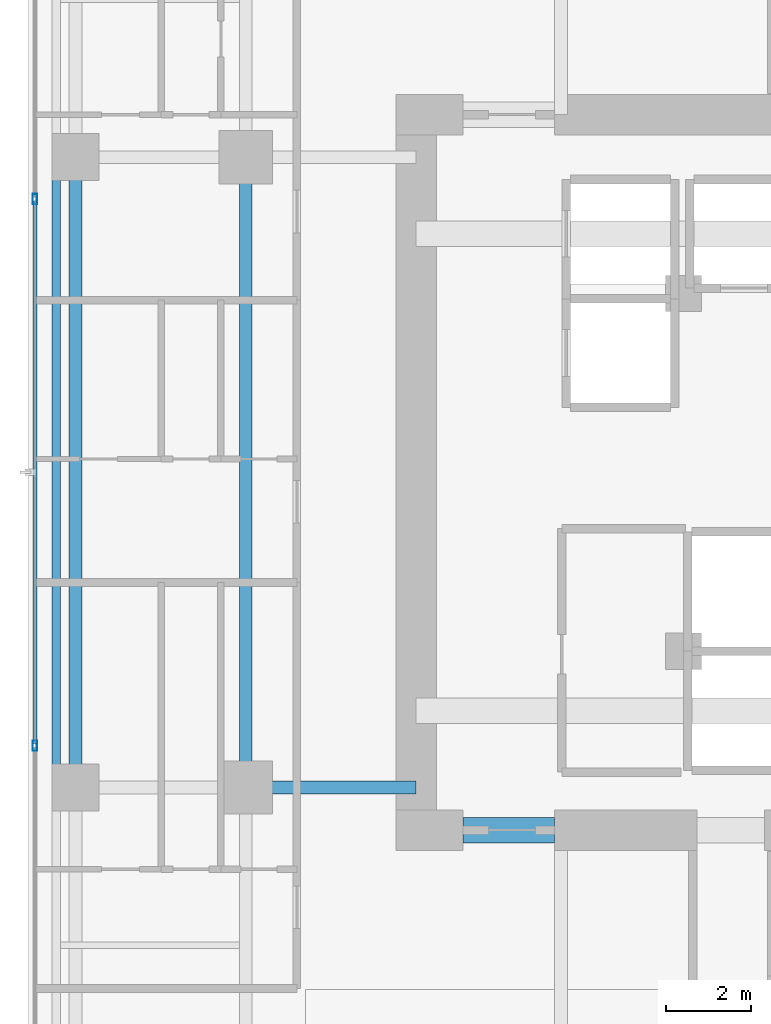
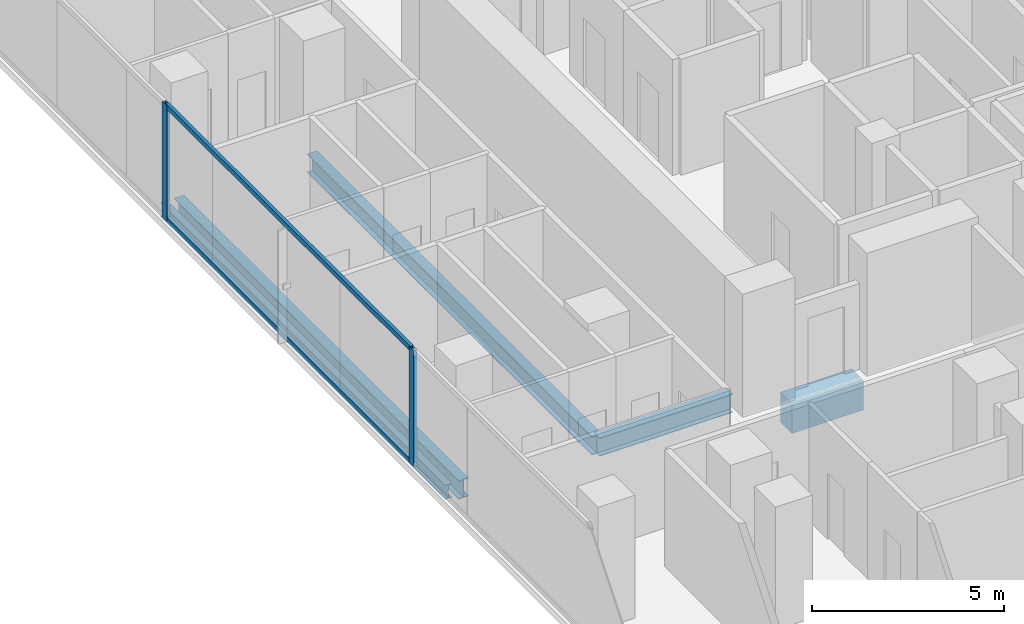
# One storey, part 5 of 29: 5 beams, 4 members, 1 element without a shape of its own.
"""IFC4 building model written with IfcOpenShell, lengths in metres."""

from ifc_helpers import new_model, si_unit, direction, frame, origin, origin_2d, place, context, subcontext, project, spatial, rectangle, hollow_rectangle, i_section, extrude, material, layer, layer_set, material_profile, profile_set, type_object, element, aggregate, save


model = new_model("IFC4")

# Units and contexts
model_context = context("Model", 3, precision=1e-05, world=origin(), true_north=direction((0.0, 1.0)))
body_context = subcontext(model_context, "Body", "Model", "MODEL_VIEW")
ifc_project = project(units=[si_unit("LENGTHUNIT", "METRE"), si_unit("AREAUNIT", "SQUARE_METRE"), si_unit("VOLUMEUNIT", "CUBIC_METRE"), si_unit("PLANEANGLEUNIT", "RADIAN"), si_unit("MASSUNIT", "GRAM", prefix="KILO")], contexts=[model_context])

# Site, building, storey
site_placement = place(None, origin())
site = spatial("IfcSite", under=ifc_project, at=site_placement, CompositionType="ELEMENT")
building_placement = place(site_placement, origin())
building = spatial("IfcBuilding", under=site, at=building_placement, Name="Khorvyn Point Tower", CompositionType="ELEMENT")
storey_placement = place(building_placement, frame((0.0, 0.0, 144.60009765625)))
storey = spatial("IfcBuildingStorey", under=building, at=storey_placement, Name="L36", CompositionType="ELEMENT", Elevation=144.60009765625)

# Curtain wall, members
ifc_material_1 = material(Name="Anodised aluminium 6063-T6 and laminated Low-E glass", Category="aluminium")
ifc_layer = layer(ifc_material_1, 0.18994140625)
ifc_layer_set = layer_set([ifc_layer], Name="Stick-Built Acoustic Curtain Wall CW-SYS-03")
curtain_wall_type = type_object("IfcCurtainWallType", Name="Stick-Built Acoustic Curtain Wall CW-SYS-03", PredefinedType="NOTDEFINED", material=ifc_layer_set)
curtain_wall_placement = place(storey_placement, origin())
curtain_wall = element("IfcCurtainWall", 1, at=curtain_wall_placement, inside=storey, type_object=curtain_wall_type, Name="Curtain Wall", PredefinedType="NOTDEFINED")
ifc_material_2 = material(Name="Anodised aluminium 6063-T6", Category="aluminium")
ifc_material_profile_1 = material_profile(ifc_material_2, hollow_rectangle(XDim=0.10009765625, YDim=0.239990234375, WallThickness=0.0048828125, at=origin_2d()))
ifc_profile_set_1 = profile_set([ifc_material_profile_1], Name="Anodised aluminium 6063-T6 ALU-MUL-100x240")
member_type_1 = type_object("IfcMemberType", Name="Anodised Aluminium 6063-T6 Mullion ALU-MUL-100x240", PredefinedType="MULLION", material=ifc_profile_set_1)
member_1_placement = place(storey_placement, frame((-19.75, -6.416748046875, 0.0), z_axis=(0.0, 0.0, 1.0), x_axis=(-1.0, 0.0, 0.0)))
member_1 = element("IfcMember", 2, at=member_1_placement, type_object=member_type_1, Name="Transom", PredefinedType="MULLION", context=body_context, shape_type="SweptSolid", body=[
    extrude(hollow_rectangle(XDim=0.10009765625, YDim=0.239990234375, WallThickness=0.0048828125, at=origin_2d()), origin(), (0.0, 0.0, 1.0), 3.679931640625),
])
member_2_placement = place(storey_placement, frame((-19.75, 6.416748046875, 0.0), z_axis=(0.0, 0.0, 1.0), x_axis=(-1.0, 0.0, 0.0)))
member_2 = element("IfcMember", 3, at=member_2_placement, type_object=member_type_1, Name="Transom", PredefinedType="MULLION", context=body_context, shape_type="SweptSolid", body=[
    extrude(hollow_rectangle(XDim=0.10009765625, YDim=0.239990234375, WallThickness=0.0048828125, at=origin_2d()), origin(), (0.0, 0.0, 1.0), 3.679931640625),
])
ifc_material_profile_2 = material_profile(ifc_material_2, hollow_rectangle(XDim=0.10009765625, YDim=0.159912109375, WallThickness=0.00439453125, at=origin_2d()))
ifc_profile_set_2 = profile_set([ifc_material_profile_2], Name="Anodised aluminium 6063-T6 ALU-TRN-100x160")
member_type_2 = type_object("IfcMemberType", Name="Anodised Aluminium 6063-T6 Transom ALU-TRN-100x160", PredefinedType="USERDEFINED", material=ifc_profile_set_2)
member_3_placement = place(storey_placement, frame((-19.75, -6.36669921875, 0.0498046875), z_axis=(0.0, 1.0, 0.0), x_axis=(-1.0, 0.0, 0.0)))
member_3 = element("IfcMember", 4, at=member_3_placement, type_object=member_type_2, Name="Transom", ObjectType="TRANSOM", PredefinedType="USERDEFINED", context=body_context, shape_type="SweptSolid", body=[
    extrude(hollow_rectangle(XDim=0.10009765625, YDim=0.159912109375, WallThickness=0.00439453125, at=origin_2d()), origin(), (0.0, 0.0, 1.0), 12.7333984375),
])
member_4_placement = place(storey_placement, frame((-19.75, -6.36669921875, 3.6298828125), z_axis=(0.0, 1.0, 0.0), x_axis=(-1.0, 0.0, 0.0)))
member_4 = element("IfcMember", 5, at=member_4_placement, type_object=member_type_2, Name="Transom", ObjectType="TRANSOM", PredefinedType="USERDEFINED", context=body_context, shape_type="SweptSolid", body=[
    extrude(hollow_rectangle(XDim=0.10009765625, YDim=0.159912109375, WallThickness=0.00439453125, at=origin_2d()), origin(), (0.0, 0.0, 1.0), 12.7333984375),
])
aggregate(curtain_wall, [member_1, member_2, member_3, member_4])

# Beams
ifc_material_3 = material(Name="Concrete C50/60", Category="concrete")
ifc_material_profile_3 = material_profile(ifc_material_3, rectangle(XDim=0.60009765625, YDim=0.949951171875, at=origin_2d()))
ifc_profile_set_3 = profile_set([ifc_material_profile_3], Name="Concrete C50/60 RC600x950")
beam_type_1 = type_object("IfcBeamType", Name="Concrete C50/60 Beam RC600x950", PredefinedType="BEAM", material=ifc_profile_set_3)
beam_1_placement = place(storey_placement, frame((-9.699951171875, -8.39990234375, -0.695068359375), z_axis=(1.0, 0.0, 0.0), x_axis=(0.0, 1.0, 0.0)))
element("IfcBeam", 6, at=beam_1_placement, inside=storey, type_object=beam_type_1, Name="L36 Core Southwest Portal Coupling Beam", PredefinedType="BEAM", context=body_context, shape_type="SweptSolid", body=[
    extrude(rectangle(XDim=0.60009765625, YDim=0.949951171875, at=origin_2d()), origin(), (0.0, 0.0, 1.0), 2.14990234375),
])
ifc_material_4 = material(Name="Steel S355", Category="steel")
ifc_material_profile_4 = material_profile(ifc_material_4, i_section(OverallWidth=0.300048828125, OverallDepth=0.587890625, WebThickness=0.011962890625, FlangeThickness=0.02001953125, at=origin_2d()))
ifc_profile_set_4 = profile_set([ifc_material_profile_4], Name="Steel S355 H588x300x12x20")
beam_type_2 = type_object("IfcBeamType", Name="Steel S355 Beam H588x300x12x20", PredefinedType="BEAM", material=ifc_profile_set_4)
beam_2_placement = place(storey_placement, frame((-14.800048828125, -7.39990234375, -0.51416015625), z_axis=(1.0, 0.0, 0.0), x_axis=(0.0, 1.0, 0.0)))
element("IfcBeam", 7, at=beam_2_placement, inside=storey, type_object=beam_type_2, Name="Beam", PredefinedType="BEAM", context=body_context, shape_type="SweptSolid", body=[
    extrude(i_section(OverallWidth=0.300048828125, OverallDepth=0.587890625, WebThickness=0.011962890625, FlangeThickness=0.02001953125, at=origin_2d()), origin(), (0.0, 0.0, 1.0), 4.0),
])
for number, where, z_axis, x_axis, name in (
    (8, (-14.800048828125, -7.39990234375, -0.51416015625), (0.0, 1.0, 0.0), (-1.0, 0.0, 0.0), "Beam"),
    (9, (-18.800048828125, -7.39990234375, -0.51416015625), (0.0, 1.0, 0.0), (-1.0, 0.0, 0.0), "Beam"),
):
    element("IfcBeam", number, at=place(storey_placement, frame(where, z_axis=z_axis, x_axis=x_axis)), inside=storey, type_object=beam_type_2, Name=name, PredefinedType="BEAM", context=body_context, shape_type="SweptSolid", body=[
        extrude(i_section(OverallWidth=0.300048828125, OverallDepth=0.587890625, WebThickness=0.011962890625, FlangeThickness=0.02001953125, at=origin_2d()), origin(), (0.0, 0.0, 1.0), 14.7998046875),
    ])
ifc_material_profile_5 = material_profile(ifc_material_4, i_section(OverallWidth=0.199951171875, OverallDepth=0.449951171875, WebThickness=0.009033203125, FlangeThickness=0.013916015625, at=origin_2d()))
ifc_profile_set_5 = profile_set([ifc_material_profile_5], Name="Steel S355 H450x200x9x14")
beam_type_3 = type_object("IfcBeamType", Name="Steel S355 Spandrel H450x200x9x14", PredefinedType="SPANDREL", material=ifc_profile_set_5)
beam_3_placement = place(storey_placement, frame((-19.25, -7.39990234375, -0.445068359375), z_axis=(0.0, 1.0, 0.0), x_axis=(-1.0, 0.0, 0.0)))
element("IfcBeam", 10, at=beam_3_placement, inside=storey, type_object=beam_type_3, Name="Beam", PredefinedType="SPANDREL", context=body_context, shape_type="SweptSolid", body=[
    extrude(i_section(OverallWidth=0.199951171875, OverallDepth=0.449951171875, WebThickness=0.009033203125, FlangeThickness=0.013916015625, at=origin_2d()), origin(), (0.0, 0.0, 1.0), 14.7998046875),
])

save(model, "model.ifc")
